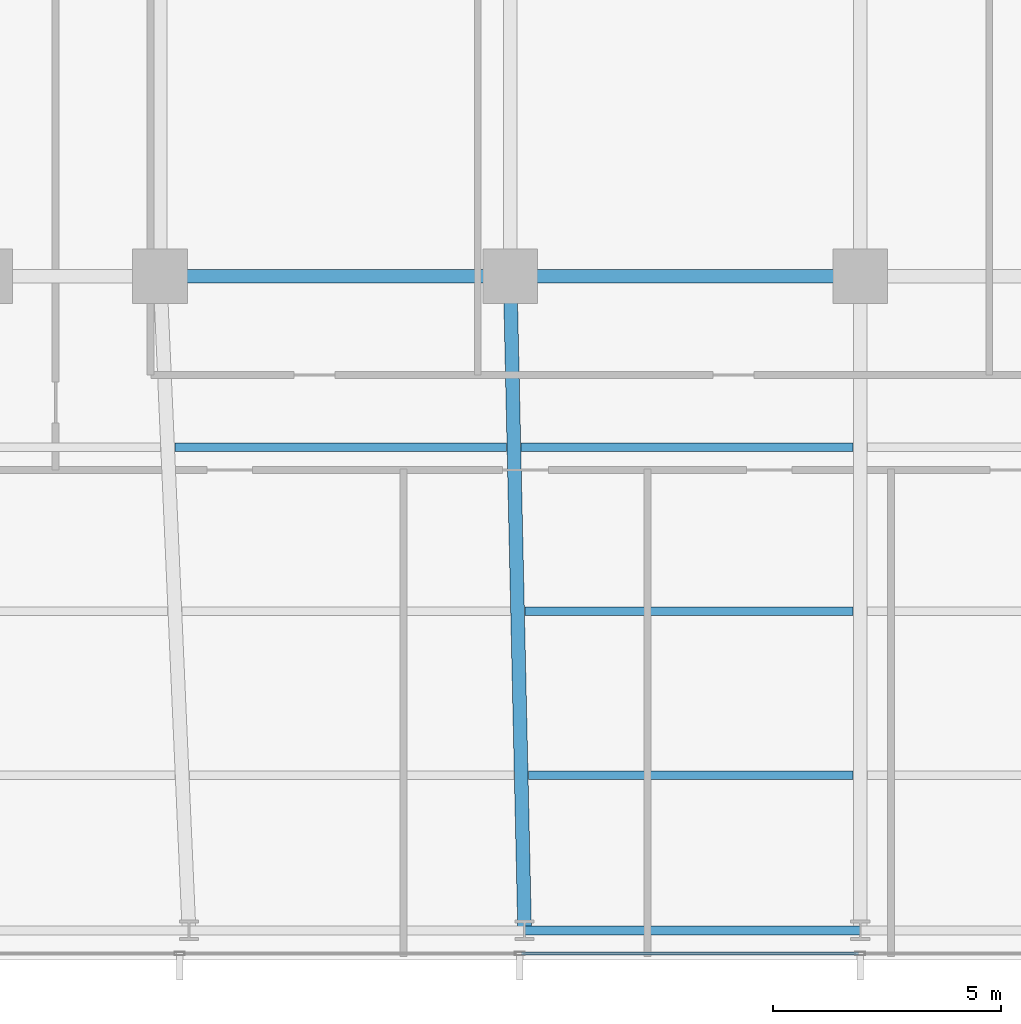
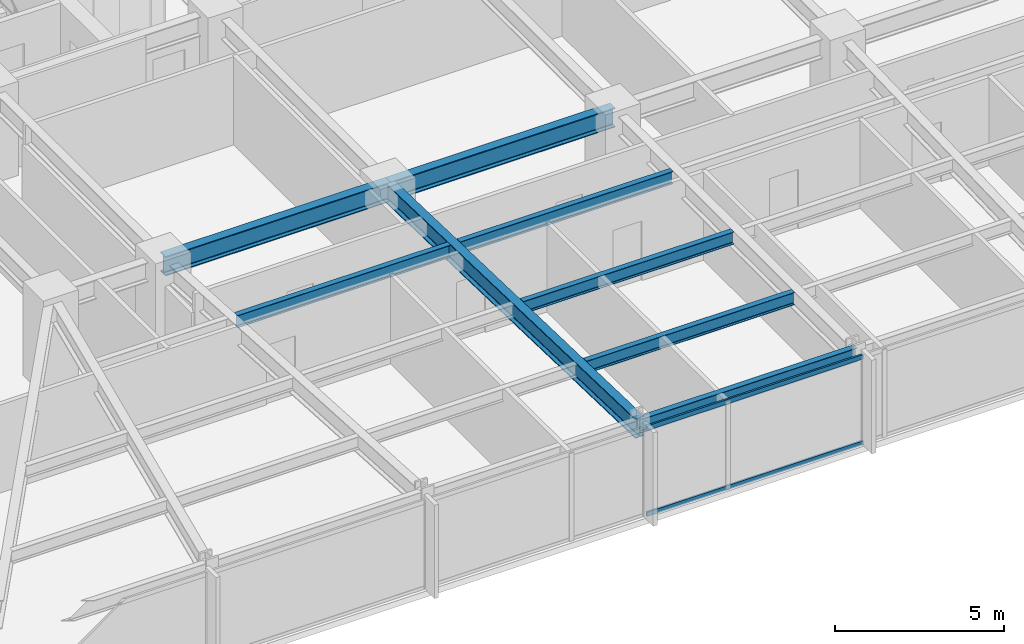
# One storey, part 6 of 33: 8 beams, 2 members, 1 element without a shape of its own.
"""IFC4 building model written with IfcOpenShell, lengths in metres."""

from ifc_helpers import new_model, si_unit, direction, frame, origin, origin_2d, place, context, subcontext, project, spatial, hollow_rectangle, i_section, extrude, material, material_profile, profile_set, type_object, element, aggregate, save


model = new_model("IFC4")

# Units and contexts
model_context = context("Model", 3, precision=1e-05, world=origin(), true_north=direction((0.0, 1.0)))
body_context = subcontext(model_context, "Body", "Model", "MODEL_VIEW")
ifc_project = project(units=[si_unit("LENGTHUNIT", "METRE"), si_unit("AREAUNIT", "SQUARE_METRE"), si_unit("VOLUMEUNIT", "CUBIC_METRE"), si_unit("PLANEANGLEUNIT", "RADIAN"), si_unit("MASSUNIT", "GRAM", prefix="KILO")], contexts=[model_context])

# Site, building, storey
site_placement = place(None, origin())
site = spatial("IfcSite", under=ifc_project, at=site_placement, CompositionType="ELEMENT")
building_placement = place(site_placement, origin())
building = spatial("IfcBuilding", under=site, at=building_placement, Name="Yelkora Congress Tower", CompositionType="ELEMENT")
storey_placement = place(building_placement, frame((0.0, 0.0, 37.199951171875)))
storey = spatial("IfcBuildingStorey", under=building, at=storey_placement, Name="L08", CompositionType="ELEMENT", Elevation=37.199951171875)

# Beams
ifc_material_1 = material(Name="Steel S355J2", Category="steel")
ifc_material_profile_1 = material_profile(ifc_material_1, i_section(OverallWidth=0.300048828125, OverallDepth=0.699951171875, WebThickness=0.01708984375, FlangeThickness=0.031982421875, FilletRadius=0.027099609375, at=origin_2d()), Name="HEB 700")
ifc_profile_set_1 = profile_set([ifc_material_profile_1], Name="Steel S355J2")
beam_type_1 = type_object("IfcBeamType", Name="BM-GIRD-HEB700", PredefinedType="BEAM", material=ifc_profile_set_1)
for number, where, z_axis, x_axis, name in (
    (1, (23.0400390625, 25.199951171875, 2.830078125), (1.0, 0.0, 0.0), (0.0, 1.0, 0.0), "L08 Spine Grid D Girder 2"),
    (2, (30.719970703125, 25.199951171875, 2.830078125), (1.0, 0.0, 0.0), (0.0, 1.0, 0.0), "L08 Spine Grid D Girder 3"),
):
    element("IfcBeam", number, at=place(storey_placement, frame(where, z_axis=z_axis, x_axis=x_axis)), inside=storey, type_object=beam_type_1, Name=name, PredefinedType="BEAM", context=body_context, shape_type="SweptSolid", body=[
        extrude(i_section(OverallWidth=0.300048828125, OverallDepth=0.699951171875, WebThickness=0.01708984375, FlangeThickness=0.031982421875, FilletRadius=0.027099609375, at=origin_2d()), origin(), (0.0, 0.0, 1.0), 7.679931640625),
    ])
beam_1_placement = place(storey_placement, frame((31.03759765625, 10.85009765625, 2.830078125), z_axis=(-0.022129088136, 0.999755121746, 0.0), x_axis=(-0.999755121746, -0.022129088136, 0.0)))
element("IfcBeam", 3, at=beam_1_placement, inside=storey, type_object=beam_type_1, Name="L08 Primary Frame Girder S04", PredefinedType="BEAM", context=body_context, shape_type="SweptSolid", body=[
    extrude(i_section(OverallWidth=0.300048828125, OverallDepth=0.699951171875, WebThickness=0.01708984375, FlangeThickness=0.031982421875, FilletRadius=0.027099609375, at=origin_2d()), origin(), (0.0, 0.0, 1.0), 14.353271484375),
])
ifc_material_profile_2 = material_profile(ifc_material_1, i_section(OverallWidth=0.18994140625, OverallDepth=0.449951171875, WebThickness=0.009521484375, FlangeThickness=0.0146484375, FilletRadius=0.02099609375, at=origin_2d()), Name="IPE 450")
ifc_profile_set_2 = profile_set([ifc_material_profile_2], Name="Steel S355J2")
beam_type_2 = type_object("IfcBeamType", Name="BM-JOIST-IPE450", PredefinedType="JOIST", material=ifc_profile_set_2)
beam_2_placement = place(storey_placement, frame((31.122314453125, 14.25, 2.955078125), z_axis=(1.0, 0.0, 0.0), x_axis=(0.0, 1.0, 0.0)))
element("IfcBeam", 4, at=beam_2_placement, inside=storey, type_object=beam_type_2, Name="L08 Composite Floor Joist 4", PredefinedType="JOIST", context=body_context, shape_type="SweptSolid", body=[
    extrude(i_section(OverallWidth=0.18994140625, OverallDepth=0.449951171875, WebThickness=0.009521484375, FlangeThickness=0.0146484375, FilletRadius=0.02099609375, at=origin_2d()), origin(), (0.0, 0.0, 1.0), 7.11767578125),
])
beam_3_placement = place(storey_placement, frame((31.04248046875, 17.85009765625, 2.955078125), z_axis=(1.0, 0.0, 0.0), x_axis=(0.0, 1.0, 0.0)))
element("IfcBeam", 5, at=beam_3_placement, inside=storey, type_object=beam_type_2, Name="L08 Composite Floor Joist 12", PredefinedType="JOIST", context=body_context, shape_type="SweptSolid", body=[
    extrude(i_section(OverallWidth=0.18994140625, OverallDepth=0.449951171875, WebThickness=0.009521484375, FlangeThickness=0.0146484375, FilletRadius=0.02099609375, at=origin_2d()), origin(), (0.0, 0.0, 1.0), 7.197509765625),
])
for number, where, z_axis, x_axis, name in (
    (6, (23.365966796875, 21.449951171875, 2.955078125), (1.0, 0.0, 0.0), (0.0, 1.0, 0.0), "L08 Composite Floor Joist 18"),
    (7, (30.962890625, 21.449951171875, 2.955078125), (1.0, 0.0, 0.0), (0.0, 1.0, 0.0), "L08 Composite Floor Joist 19"),
):
    element("IfcBeam", number, at=place(storey_placement, frame(where, z_axis=z_axis, x_axis=x_axis)), inside=storey, type_object=beam_type_2, Name=name, PredefinedType="JOIST", context=body_context, shape_type="SweptSolid", body=[
        extrude(i_section(OverallWidth=0.18994140625, OverallDepth=0.449951171875, WebThickness=0.009521484375, FlangeThickness=0.0146484375, FilletRadius=0.02099609375, at=origin_2d()), origin(), (0.0, 0.0, 1.0), 7.277099609375),
    ])
ifc_material_profile_3 = material_profile(ifc_material_1, i_section(OverallWidth=0.199951171875, OverallDepth=0.5, WebThickness=0.01025390625, FlangeThickness=0.01611328125, FilletRadius=0.02099609375, at=origin_2d()), Name="IPE 500")
ifc_profile_set_3 = profile_set([ifc_material_profile_3], Name="Steel S355J2")
beam_type_3 = type_object("IfcBeamType", Name="BM-SPAN-IPE500", PredefinedType="SPANDREL", material=ifc_profile_set_3)
beam_4_placement = place(storey_placement, frame((31.03759765625, 10.85009765625, 2.929931640625), z_axis=(1.0, 0.0, 0.0), x_axis=(0.0, 1.0, 0.0)))
element("IfcBeam", 8, at=beam_4_placement, inside=storey, type_object=beam_type_3, Name="L08 Perimeter Beam 5", PredefinedType="SPANDREL", context=body_context, shape_type="SweptSolid", body=[
    extrude(i_section(OverallWidth=0.199951171875, OverallDepth=0.5, WebThickness=0.01025390625, FlangeThickness=0.01611328125, FilletRadius=0.02099609375, at=origin_2d()), origin(), (0.0, 0.0, 1.0), 7.3623046875),
])

# Curtain wall, members
ifc_material_2 = material(Name="Anodised aluminium and insulated glass", Category="aluminium")
curtain_wall_type = type_object("IfcCurtainWallType", Name="CW-SYS-B1", PredefinedType="NOTDEFINED", material=ifc_material_2)
curtain_wall_placement = place(storey_placement, origin())
curtain_wall = element("IfcCurtainWall", 9, at=curtain_wall_placement, inside=storey, type_object=curtain_wall_type, Name="L08 Unitised Curtain Wall 20", PredefinedType="NOTDEFINED")
ifc_material_3 = material(Name="Anodised aluminium 6063-T6", Category="aluminium")
ifc_material_profile_4 = material_profile(ifc_material_3, hollow_rectangle(XDim=0.06494140625, YDim=0.159912109375, WallThickness=0.00390625, at=origin_2d()), Name="ALU 65x160x4")
ifc_profile_set_4 = profile_set([ifc_material_profile_4], Name="Anodised aluminium 6063-T6")
member_type = type_object("IfcMemberType", Name="MEM-TR-B1", PredefinedType="USERDEFINED", material=ifc_profile_set_4)
member_1_placement = place(storey_placement, frame((38.362548828125, 10.340087890625, 0.032470703125), z_axis=(-1.0, 0.0, 0.0), x_axis=(0.0, -1.0, 0.0)))
member_1 = element("IfcMember", 10, at=member_1_placement, type_object=member_type, Name="CW-B1 transom 5.1", ObjectType="TRANSOM", PredefinedType="USERDEFINED", context=body_context, shape_type="SweptSolid", body=[
    extrude(hollow_rectangle(XDim=0.06494140625, YDim=0.159912109375, WallThickness=0.00390625, at=origin_2d()), origin(), (0.0, 0.0, 1.0), 7.39013671875),
])
member_2_placement = place(storey_placement, frame((38.362548828125, 10.340087890625, 3.1474609375), z_axis=(-1.0, 0.0, 0.0), x_axis=(0.0, -1.0, 0.0)))
member_2 = element("IfcMember", 11, at=member_2_placement, type_object=member_type, Name="CW-B1 transom 5.2", ObjectType="TRANSOM", PredefinedType="USERDEFINED", context=body_context, shape_type="SweptSolid", body=[
    extrude(hollow_rectangle(XDim=0.06494140625, YDim=0.159912109375, WallThickness=0.00390625, at=origin_2d()), origin(), (0.0, 0.0, 1.0), 7.39013671875),
])
aggregate(curtain_wall, [member_1, member_2])

save(model, "model.ifc")
